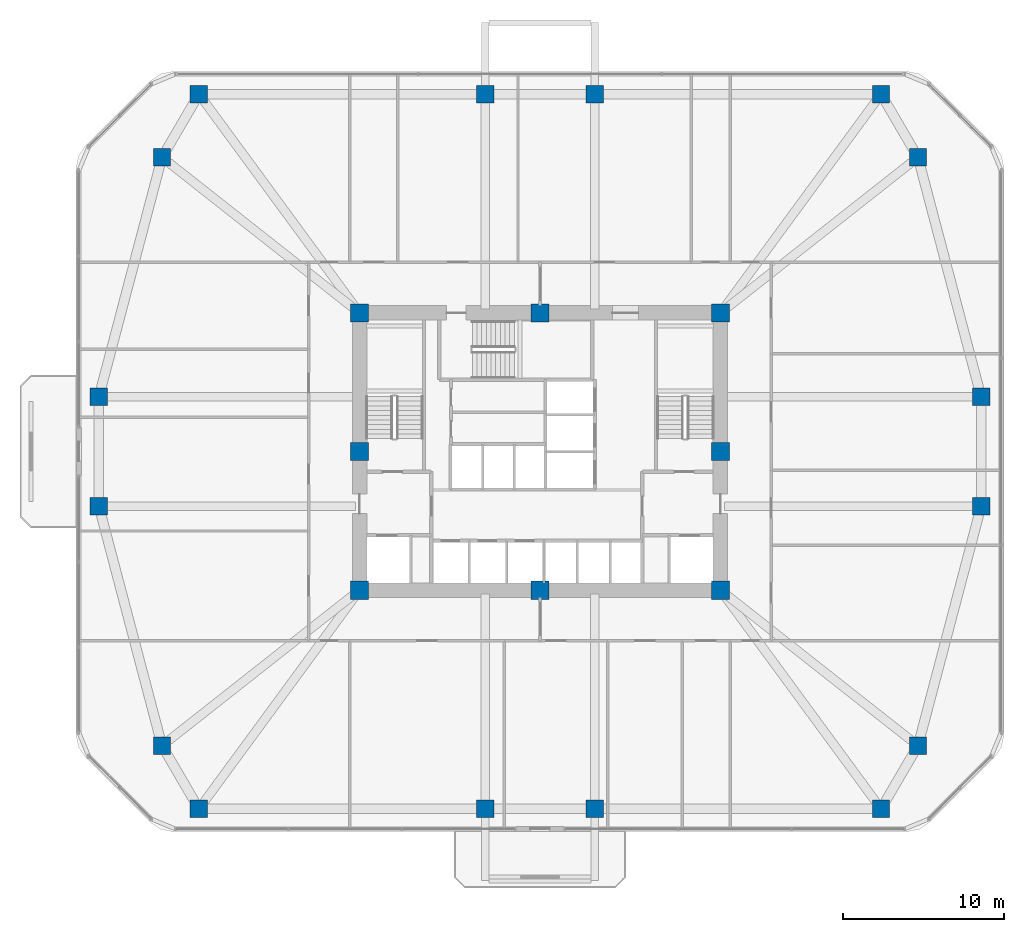
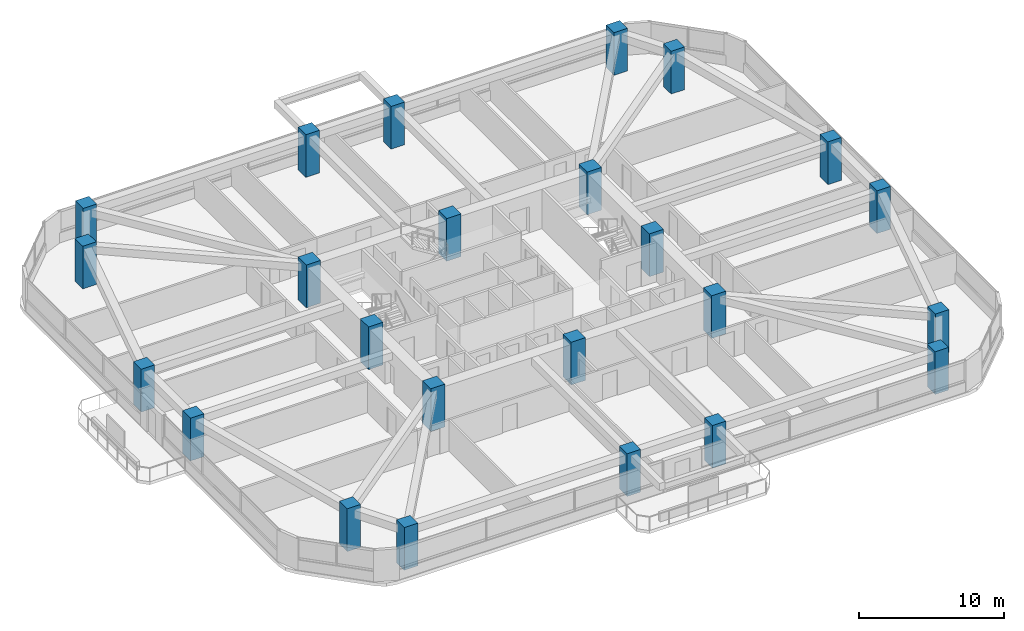
# One storey, part 1 of 14: 24 columns.
"""IFC4 building model written with IfcOpenShell, lengths in metres."""

from ifc_helpers import new_model, si_unit, derived_unit, direction, frame, origin, origin_2d, place, context, subcontext, project, spatial, rectangle, extrude, material, material_profile, profile_set, type_object, element, save


model = new_model("IFC4")

# Units and contexts
model_context = context("Model", 3, precision=1e-05, world=origin(), true_north=direction((0.0, 1.0)))
body_context = subcontext(model_context, "Body", "Model", "MODEL_VIEW")
ifc_project = project(units=[si_unit("LENGTHUNIT", "METRE"), si_unit("AREAUNIT", "SQUARE_METRE"), si_unit("VOLUMEUNIT", "CUBIC_METRE"), si_unit("PLANEANGLEUNIT", "RADIAN"), si_unit("MASSUNIT", "GRAM", prefix="KILO"), derived_unit("THERMALTRANSMITTANCEUNIT", [(si_unit("POWERUNIT", "WATT"), 1), (si_unit("LENGTHUNIT", "METRE"), -2), (si_unit("THERMODYNAMICTEMPERATUREUNIT", "KELVIN"), -1)])], contexts=[model_context])

# Site, building, storey
site_placement = place(None, origin())
site = spatial("IfcSite", under=ifc_project, at=site_placement, CompositionType="ELEMENT")
building_placement = place(site_placement, origin())
building = spatial("IfcBuilding", under=site, at=building_placement, Name="Koralith Skygarden Medical Center", CompositionType="ELEMENT")
storey_placement = place(building_placement, frame((0.0, 0.0, 34.739990234375)))
storey = spatial("IfcBuildingStorey", under=building, at=storey_placement, Name="L08", CompositionType="ELEMENT", Elevation=34.739990234375)

# Columns
ifc_material = material(Name="Concrete C70/85", Category="concrete")
ifc_material_profile_1 = material_profile(ifc_material, rectangle(XDim=1.139892578125, YDim=1.139892578125, at=origin_2d()), Name="RC1140X1140")
ifc_profile_set_1 = profile_set([ifc_material_profile_1], Name="Concrete C70/85")
column_type_1 = type_object("IfcColumnType", Name="Core Mega-Column C70 RC1140", PredefinedType="COLUMN", material=ifc_profile_set_1)
for number, where, z_axis, x_axis, name in (
    (1, (25.800048828125, 17.300048828125, 0.0), (0.0, 0.0, 1.0), (1.0, 0.0, 0.0), "L08 Core Column CC-01"),
    (2, (37.0, 17.300048828125, 0.0), (0.0, 0.0, 1.0), (1.0, 0.0, 0.0), "L08 Core Column CC-02"),
    (3, (48.199951171875, 17.300048828125, 0.0), (0.0, 0.0, 1.0), (1.0, 0.0, 0.0), "L08 Core Column CC-03"),
    (4, (48.199951171875, 25.89990234375, 0.0), (0.0, 0.0, 1.0), (1.0, 0.0, 0.0), "L08 Core Column CC-04"),
    (5, (48.199951171875, 34.5, 0.0), (0.0, 0.0, 1.0), (1.0, 0.0, 0.0), "L08 Core Column CC-05"),
    (6, (37.0, 34.5, 0.0), (0.0, 0.0, 1.0), (1.0, 0.0, 0.0), "L08 Core Column CC-06"),
    (7, (25.800048828125, 34.5, 0.0), (0.0, 0.0, 1.0), (1.0, 0.0, 0.0), "L08 Core Column CC-07"),
    (8, (25.800048828125, 25.89990234375, 0.0), (0.0, 0.0, 1.0), (1.0, 0.0, 0.0), "L08 Core Column CC-08"),
):
    element("IfcColumn", number, at=place(storey_placement, frame(where, z_axis=z_axis, x_axis=x_axis)), inside=storey, type_object=column_type_1, Name=name, PredefinedType="COLUMN", context=body_context, shape_type="SweptSolid", body=[
        extrude(rectangle(XDim=1.139892578125, YDim=1.139892578125, at=origin_2d()), origin(), (0.0, 0.0, 1.0), 3.60009765625),
    ])
ifc_material_profile_2 = material_profile(ifc_material, rectangle(XDim=1.080078125, YDim=1.080078125, at=origin_2d()), Name="RC1080X1080")
ifc_profile_set_2 = profile_set([ifc_material_profile_2], Name="Concrete C70/85")
column_type_2 = type_object("IfcColumnType", Name="Zone 1 Octagonal Mega-Column C70 RC1080", PredefinedType="COLUMN", material=ifc_profile_set_2)
for number, where, z_axis, x_axis, name in (
    (9, (9.6201171875, 22.5, 0.0), (0.0, 0.0, 1.0), (1.0, 0.0, 0.0), "L08 Perimeter Mega-Column MC-01"),
    (10, (13.5400390625, 7.639892578125, 0.0), (0.0, 0.0, 1.0), (1.0, 0.0, 0.0), "L08 Perimeter Mega-Column MC-02"),
    (11, (15.83203125, 3.719970703125, 0.0), (0.0, 0.0, 1.0), (1.0, 0.0, 0.0), "L08 Perimeter Mega-Column MC-03"),
    (12, (33.60009765625, 3.719970703125, 0.0), (0.0, 0.0, 1.0), (1.0, 0.0, 0.0), "L08 Perimeter Mega-Column MC-04"),
    (13, (40.39990234375, 3.719970703125, 0.0), (0.0, 0.0, 1.0), (1.0, 0.0, 0.0), "L08 Perimeter Mega-Column MC-05"),
    (14, (58.16796875, 3.719970703125, 0.0), (0.0, 0.0, 1.0), (1.0, 0.0, 0.0), "L08 Perimeter Mega-Column MC-06"),
    (15, (60.4599609375, 7.639892578125, 0.0), (0.0, 0.0, 1.0), (1.0, 0.0, 0.0), "L08 Perimeter Mega-Column MC-07"),
    (16, (64.3798828125, 22.5, 0.0), (0.0, 0.0, 1.0), (1.0, 0.0, 0.0), "L08 Perimeter Mega-Column MC-08"),
    (17, (64.3798828125, 29.300048828125, 0.0), (0.0, 0.0, 1.0), (1.0, 0.0, 0.0), "L08 Perimeter Mega-Column MC-09"),
    (18, (60.4599609375, 44.159912109375, 0.0), (0.0, 0.0, 1.0), (1.0, 0.0, 0.0), "L08 Perimeter Mega-Column MC-10"),
    (19, (58.16796875, 48.080078125, 0.0), (0.0, 0.0, 1.0), (1.0, 0.0, 0.0), "L08 Perimeter Mega-Column MC-11"),
    (20, (40.39990234375, 48.080078125, 0.0), (0.0, 0.0, 1.0), (1.0, 0.0, 0.0), "L08 Perimeter Mega-Column MC-12"),
    (21, (33.60009765625, 48.080078125, 0.0), (0.0, 0.0, 1.0), (1.0, 0.0, 0.0), "L08 Perimeter Mega-Column MC-13"),
    (22, (15.83203125, 48.080078125, 0.0), (0.0, 0.0, 1.0), (1.0, 0.0, 0.0), "L08 Perimeter Mega-Column MC-14"),
    (23, (13.5400390625, 44.159912109375, 0.0), (0.0, 0.0, 1.0), (1.0, 0.0, 0.0), "L08 Perimeter Mega-Column MC-15"),
    (24, (9.6201171875, 29.300048828125, 0.0), (0.0, 0.0, 1.0), (1.0, 0.0, 0.0), "L08 Perimeter Mega-Column MC-16"),
):
    element("IfcColumn", number, at=place(storey_placement, frame(where, z_axis=z_axis, x_axis=x_axis)), inside=storey, type_object=column_type_2, Name=name, PredefinedType="COLUMN", context=body_context, shape_type="SweptSolid", body=[
        extrude(rectangle(XDim=1.080078125, YDim=1.080078125, at=origin_2d()), origin(), (0.0, 0.0, 1.0), 3.60009765625),
    ])

save(model, "model.ifc")
